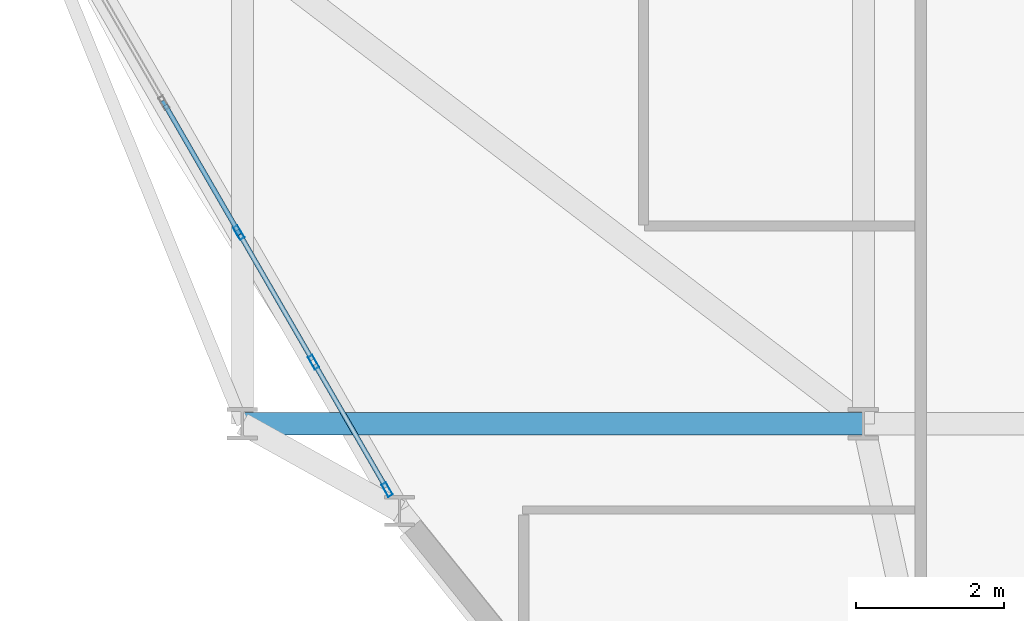
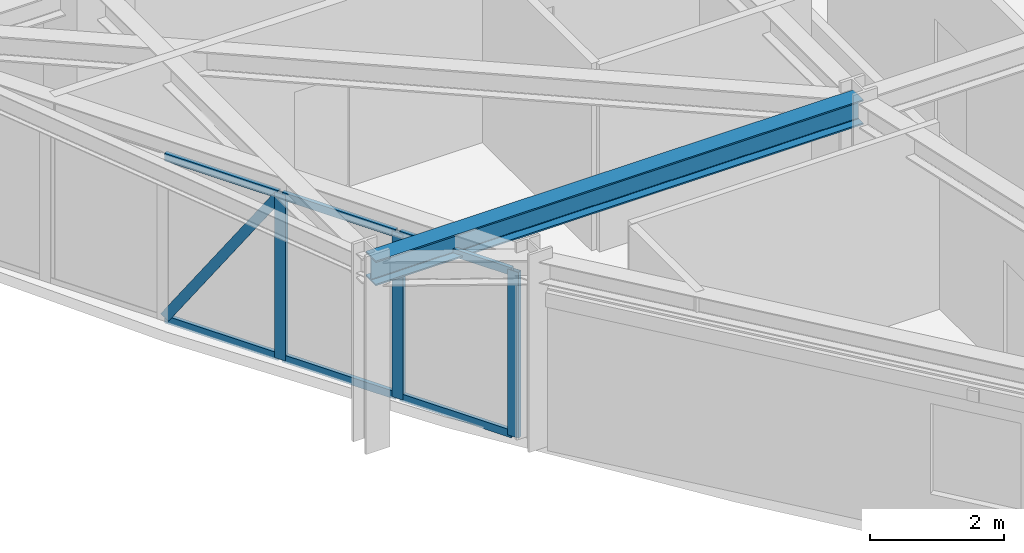
# One storey, part 2 of 18: 10 members, 1 beam, 1 element without a shape of its own.
"""IFC4 building model written with IfcOpenShell, lengths in metres."""

from ifc_helpers import new_model, si_unit, derived_unit, direction, frame, origin, origin_2d, place, context, subcontext, project, spatial, hollow_rectangle, i_section, extrude, source, transform, mapped, material, layer, layer_set, material_profile, profile_set, type_object, element, aggregate, save


model = new_model("IFC4")

# Units and contexts
model_context = context("Model", 3, precision=1e-05, world=origin(), true_north=direction((0.0, 1.0)))
body_context = subcontext(model_context, "Body", "Model", "MODEL_VIEW")
ifc_project = project(units=[si_unit("LENGTHUNIT", "METRE"), si_unit("AREAUNIT", "SQUARE_METRE"), si_unit("VOLUMEUNIT", "CUBIC_METRE"), si_unit("PLANEANGLEUNIT", "RADIAN"), si_unit("MASSUNIT", "GRAM", prefix="KILO"), derived_unit("THERMALTRANSMITTANCEUNIT", [(si_unit("POWERUNIT", "WATT"), 1), (si_unit("LENGTHUNIT", "METRE"), -2), (si_unit("THERMODYNAMICTEMPERATUREUNIT", "KELVIN"), -1)])], contexts=[model_context])

# Site, building, storey
site_placement = place(None, origin())
site = spatial("IfcSite", under=ifc_project, at=site_placement, CompositionType="ELEMENT")
building_placement = place(site_placement, origin())
building = spatial("IfcBuilding", under=site, at=building_placement, Name="Korsvarv Bourse and Concert Hall", CompositionType="ELEMENT")
storey_placement = place(building_placement, frame((0.0, 0.0, 209.39990234375)))
storey = spatial("IfcBuildingStorey", under=building, at=storey_placement, Name="L54", CompositionType="ELEMENT", Elevation=209.39990234375)

# Beam
ifc_material_1 = material(Name="Steel S355", Category="steel")
ifc_material_profile_1 = material_profile(ifc_material_1, i_section(OverallWidth=0.300048828125, OverallDepth=0.449951171875, WebThickness=0.013916015625, FlangeThickness=0.02587890625, FilletRadius=0.02099609375, at=origin_2d()), Name="HEB 450")
ifc_profile_set_1 = profile_set([ifc_material_profile_1], Name="Steel S355")
beam_type = type_object("IfcBeamType", Name="BM-HEB450", PredefinedType="SPANDREL", material=ifc_profile_set_1)
shared_shape_1 = source(origin(), body_context, "Body", "SweptSolid", [
    extrude(i_section(OverallWidth=0.300048828125, OverallDepth=0.449951171875, WebThickness=0.013916015625, FlangeThickness=0.02587890625, FilletRadius=0.02099609375, at=origin_2d()), origin(), (0.0, 0.0, 1.0), 8.39990234375),
])
beam_placement = place(storey_placement, frame((27.60009765625, 24.0, 3.18505859375), z_axis=(1.0, 0.0, 0.0), x_axis=(0.0, 1.0, 0.0)))
element("IfcBeam", 1, at=beam_placement, inside=storey, type_object=beam_type, Name="L54 beam B-08", PredefinedType="SPANDREL", context=body_context, shape_type="MappedRepresentation", body=[
    mapped(shared_shape_1, transform((0.0, 0.0, 0.0), scale=1.0)),
])

# Curtain wall, members
ifc_material_2 = material(Name="Anodised aluminium and triple low-E glazing", Category="glass")
ifc_layer = layer(ifc_material_2, 0.199951171875)
ifc_layer_set = layer_set([ifc_layer], Name="Anodised aluminium and triple low-E glazing")
curtain_wall_type = type_object("IfcCurtainWallType", Name="CW-SYS-3", PredefinedType="NOTDEFINED", material=ifc_layer_set)
curtain_wall_placement = place(storey_placement, origin())
curtain_wall = element("IfcCurtainWall", 2, at=curtain_wall_placement, inside=storey, type_object=curtain_wall_type, Name="L54 CW3 curtain wall CW-L54-F07-2", PredefinedType="NOTDEFINED")
ifc_material_3 = material(Name="Extruded aluminium EN AW-6063 T66", Category="aluminium")
ifc_material_profile_2 = material_profile(ifc_material_3, hollow_rectangle(XDim=0.070068359375, YDim=0.18994140625, WallThickness=0.0048828125, at=origin_2d()), Name="ALU-M 70x190")
ifc_profile_set_2 = profile_set([ifc_material_profile_2], Name="Extruded aluminium EN AW-6063 T66")
member_type_1 = type_object("IfcMemberType", Name="CWM-190", PredefinedType="MULLION", material=ifc_profile_set_2)
shared_shape_2 = source(origin(), body_context, "Body", "SweptSolid", [
    extrude(hollow_rectangle(XDim=0.070068359375, YDim=0.18994140625, WallThickness=0.0048828125, at=origin_2d()), origin(), (0.0, 0.0, 1.0), 3.02001953125),
])
member_1_placement = place(storey_placement, frame((27.550048828125, 26.5869140625, 0.0), z_axis=(0.0, 0.0, 1.0), x_axis=(0.866026111776, 0.49999877372, 0.0)))
member_1 = element("IfcMember", 3, at=member_1_placement, type_object=member_type_1, Name="CW3 mullion 4", PredefinedType="MULLION", context=body_context, shape_type="MappedRepresentation", body=[
    mapped(shared_shape_2, transform((0.0, 0.0, 0.0), scale=1.0)),
])
member_2_placement = place(storey_placement, frame((28.56298828125, 24.83251953125, 0.0), z_axis=(0.0, 0.0, 1.0), x_axis=(0.866026111776, 0.49999877372, 0.0)))
member_2 = element("IfcMember", 4, at=member_2_placement, type_object=member_type_1, Name="CW3 mullion 5", PredefinedType="MULLION", context=body_context, shape_type="MappedRepresentation", body=[
    mapped(shared_shape_2, transform((0.0, 0.0, 0.0), scale=1.0)),
])
member_3_placement = place(storey_placement, frame((29.558349609375, 23.1083984375, 0.0), z_axis=(0.0, 0.0, 1.0), x_axis=(0.866026111776, 0.49999877372, 0.0)))
member_3 = element("IfcMember", 5, at=member_3_placement, type_object=member_type_1, Name="CW3 mullion 6", PredefinedType="MULLION", context=body_context, shape_type="MappedRepresentation", body=[
    mapped(shared_shape_2, transform((0.0, 0.0, 0.0), scale=1.0)),
])
ifc_material_profile_3 = material_profile(ifc_material_3, hollow_rectangle(XDim=0.06494140625, YDim=0.139892578125, WallThickness=0.00390625, at=origin_2d()), Name="ALU-T 65x140")
ifc_profile_set_3 = profile_set([ifc_material_profile_3], Name="Extruded aluminium EN AW-6063 T66")
member_type_2 = type_object("IfcMemberType", Name="CWT-140", PredefinedType="USERDEFINED", material=ifc_profile_set_3)
shared_shape_3 = source(origin(), body_context, "Body", "SweptSolid", [
    extrude(hollow_rectangle(XDim=0.06494140625, YDim=0.139892578125, WallThickness=0.00390625, at=origin_2d()), origin(), (0.0, 0.0, 1.0), 1.920654296875),
])
member_4_placement = place(storey_placement, frame((28.58056640625, 24.802001953125, 0.03271484375), z_axis=(0.500048867987, -0.865997188001, 0.0), x_axis=(0.865997188001, 0.500048867987, 0.0)))
member_4 = element("IfcMember", 6, at=member_4_placement, type_object=member_type_2, Name="CW3 transom 5.1", ObjectType="TRANSOM", PredefinedType="USERDEFINED", context=body_context, shape_type="MappedRepresentation", body=[
    mapped(shared_shape_3, transform((0.0, 0.0, 0.0), scale=1.0)),
])
member_5_placement = place(storey_placement, frame((28.58056640625, 24.802001953125, 2.987548828125), z_axis=(0.500048867987, -0.865997188001, 0.0), x_axis=(0.865997188001, 0.500048867987, 0.0)))
member_5 = element("IfcMember", 7, at=member_5_placement, type_object=member_type_2, Name="CW3 transom 5.2", ObjectType="TRANSOM", PredefinedType="USERDEFINED", context=body_context, shape_type="MappedRepresentation", body=[
    mapped(shared_shape_3, transform((0.0, 0.0, 0.0), scale=1.0)),
])
shared_shape_4 = source(origin(), body_context, "Body", "SweptSolid", [
    extrude(hollow_rectangle(XDim=0.06494140625, YDim=0.139892578125, WallThickness=0.00390625, at=origin_2d()), origin(), (0.0, 0.0, 1.0), 1.955810546875),
])
member_6_placement = place(storey_placement, frame((26.5546875, 28.310791015625, 0.03271484375), z_axis=(0.500086243919, -0.865975605109, 0.0), x_axis=(0.865975605109, 0.500086243919, 0.0)))
member_6 = element("IfcMember", 8, at=member_6_placement, type_object=member_type_2, Name="CW3 transom 3.1", ObjectType="TRANSOM", PredefinedType="USERDEFINED", context=body_context, shape_type="MappedRepresentation", body=[
    mapped(shared_shape_4, transform((0.0, 0.0, 0.0), scale=1.0)),
])
member_7_placement = place(storey_placement, frame((26.5546875, 28.310791015625, 2.987548828125), z_axis=(0.500086243919, -0.865975605109, 0.0), x_axis=(0.865975605109, 0.500086243919, 0.0)))
member_7 = element("IfcMember", 9, at=member_7_placement, type_object=member_type_2, Name="CW3 transom 3.2", ObjectType="TRANSOM", PredefinedType="USERDEFINED", context=body_context, shape_type="MappedRepresentation", body=[
    mapped(shared_shape_4, transform((0.0, 0.0, 0.0), scale=1.0)),
])
ifc_material_profile_4 = material_profile(ifc_material_3, hollow_rectangle(XDim=0.06494140625, YDim=0.1650390625, WallThickness=0.0048828125, at=origin_2d()), Name="ALU-M 65x165")
ifc_profile_set_4 = profile_set([ifc_material_profile_4], Name="Extruded aluminium EN AW-6063 T66")
member_type_3 = type_object("IfcMemberType", Name="CWM-165", PredefinedType="MULLION", material=ifc_profile_set_4)
shared_shape_5 = source(origin(), body_context, "Body", "SweptSolid", [
    extrude(hollow_rectangle(XDim=0.06494140625, YDim=0.1650390625, WallThickness=0.0048828125, at=origin_2d()), origin(), (0.0, 0.0, 1.0), 3.489501953125),
])
member_8_placement = place(storey_placement, frame((26.5546875, 28.310791015625, 0.065185546875), z_axis=(0.280280677309, -0.485348741511, 0.828178326836), x_axis=(0.865975605109, 0.500086243919, 0.0)))
member_8 = element("IfcMember", 10, at=member_8_placement, type_object=member_type_3, Name="CW3 diagonal mullion 3", PredefinedType="MULLION", context=body_context, shape_type="MappedRepresentation", body=[
    mapped(shared_shape_5, transform((0.0, 0.0, 0.0), scale=1.0)),
])
shared_shape_6 = source(origin(), body_context, "Body", "SweptSolid", [
    extrude(hollow_rectangle(XDim=0.06494140625, YDim=0.139892578125, WallThickness=0.00390625, at=origin_2d()), origin(), (0.0, 0.0, 1.0), 1.95556640625),
])
member_9_placement = place(storey_placement, frame((27.567626953125, 26.556396484375, 0.03271484375), z_axis=(0.499992620187, -0.866029664479, 0.0), x_axis=(0.866029664479, 0.499992620187, 0.0)))
member_9 = element("IfcMember", 11, at=member_9_placement, type_object=member_type_2, Name="CW3 transom 4.1", ObjectType="TRANSOM", PredefinedType="USERDEFINED", context=body_context, shape_type="MappedRepresentation", body=[
    mapped(shared_shape_6, transform((0.0, 0.0, 0.0), scale=1.0)),
])
member_10_placement = place(storey_placement, frame((27.567626953125, 26.556396484375, 2.987548828125), z_axis=(0.499992620187, -0.866029664479, 0.0), x_axis=(0.866029664479, 0.499992620187, 0.0)))
member_10 = element("IfcMember", 12, at=member_10_placement, type_object=member_type_2, Name="CW3 transom 4.2", ObjectType="TRANSOM", PredefinedType="USERDEFINED", context=body_context, shape_type="MappedRepresentation", body=[
    mapped(shared_shape_6, transform((0.0, 0.0, 0.0), scale=1.0)),
])
aggregate(curtain_wall, [member_1, member_2, member_3, member_6, member_7, member_8, member_9, member_10, member_4, member_5])

save(model, "model.ifc")
